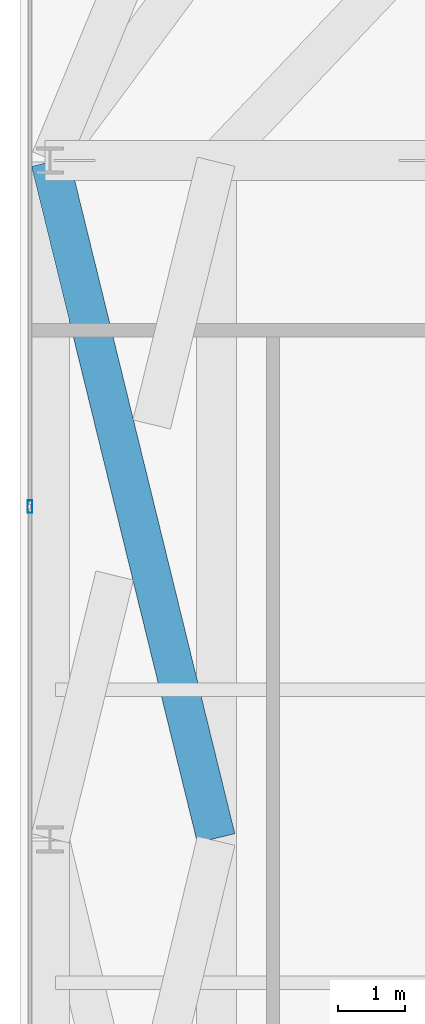
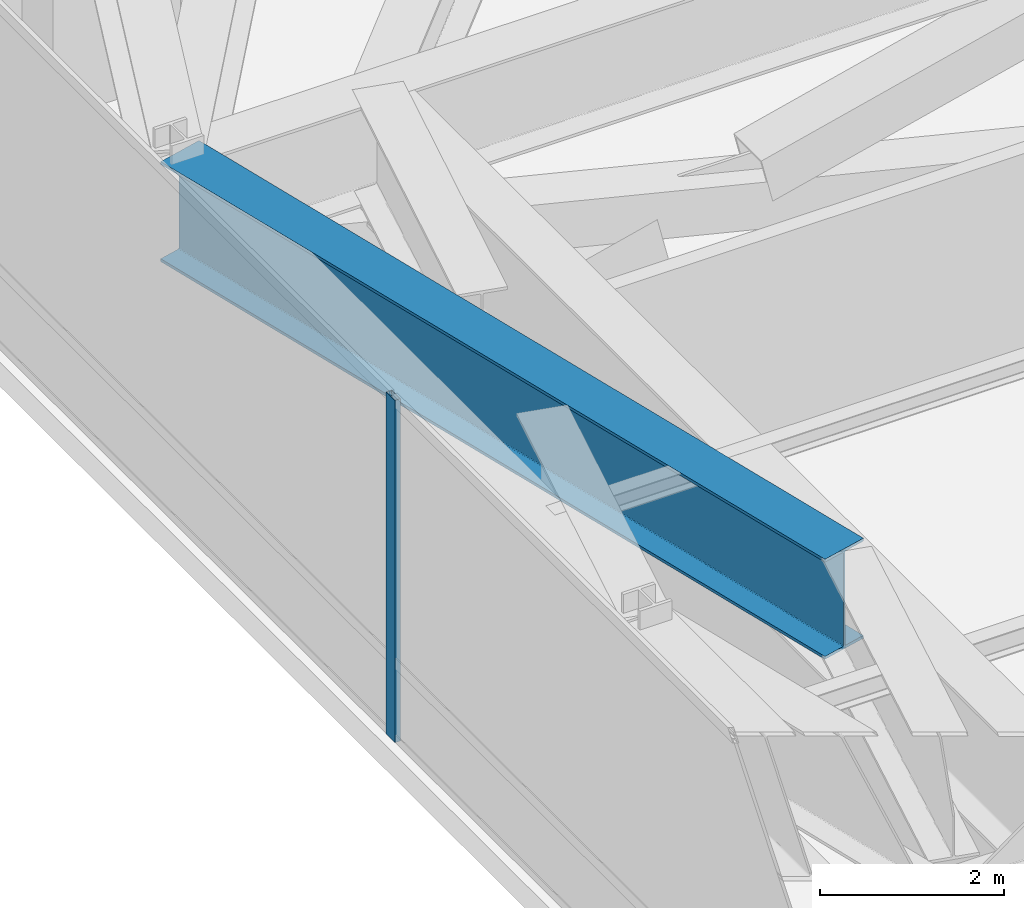
# One storey, part 10 of 30: 1 beam, 1 member, 1 element without a shape of its own.
"""IFC4 building model written with IfcOpenShell, lengths in metres."""

from ifc_helpers import new_model, si_unit, direction, frame, origin, origin_2d, place, context, subcontext, project, spatial, hollow_rectangle, i_section, extrude, source, transform, mapped, material, layer, layer_set, material_profile, profile_set, type_object, type_shapes, element, aggregate, save


model = new_model("IFC4")

# Units and contexts
model_context = context("Model", 3, precision=1e-05, world=origin(), true_north=direction((0.0, 1.0)))
body_context = subcontext(model_context, "Body", "Model", "MODEL_VIEW")
ifc_project = project(units=[si_unit("LENGTHUNIT", "METRE"), si_unit("AREAUNIT", "SQUARE_METRE"), si_unit("VOLUMEUNIT", "CUBIC_METRE"), si_unit("PLANEANGLEUNIT", "RADIAN"), si_unit("MASSUNIT", "GRAM", prefix="KILO")], contexts=[model_context])

# Site, building, storey
site_placement = place(None, origin())
site = spatial("IfcSite", under=ifc_project, at=site_placement, CompositionType="ELEMENT")
building_placement = place(site_placement, origin())
building = spatial("IfcBuilding", under=site, at=building_placement, Name="Varnel Quay Broadcast Tower", CompositionType="ELEMENT")
storey_placement = place(building_placement, frame((0.0, 0.0, 82.199951171875)))
storey = spatial("IfcBuildingStorey", under=building, at=storey_placement, Name="L19", CompositionType="ELEMENT", Elevation=82.199951171875)

# Beam
ifc_material_1 = material(Name="Structural Steel CSA G40.21 350WT", Category="steel")
ifc_material_profile_1 = material_profile(ifc_material_1, i_section(OverallWidth=0.580078125, OverallDepth=1.330078125, WebThickness=0.02197265625, FlangeThickness=0.0380859375, FilletRadius=0.02001953125, at=origin_2d()), Name="WWF1330X535")
ifc_profile_set_1 = profile_set([ifc_material_profile_1], Name="Structural Steel CSA G40.21 350WT")
beam_type = type_object("IfcBeamType", Name="Girder_WWF1330X535", PredefinedType="BEAM", material=ifc_profile_set_1)
shared_shape_1 = source(origin(), body_context, "Body", "SweptSolid", [
    extrude(i_section(OverallWidth=0.580078125, OverallDepth=1.330078125, WebThickness=0.02197265625, FlangeThickness=0.0380859375, FilletRadius=0.02001953125, at=origin_2d()), origin(), (0.0, 0.0, 1.0), 10.4619140625),
])
type_shapes(beam_type, [shared_shape_1])
beam_placement = place(storey_placement, frame((2.454833984375, 35.58056640625, 3.885009765625), z_axis=(0.238052489607, -0.971252290701, 0.0), x_axis=(0.971252290701, 0.238052489607, 0.0)))
element("IfcBeam", 1, at=beam_placement, inside=storey, type_object=beam_type, Name="L19 X-Braced Transfer Tie TC-W2-TC-W3", PredefinedType="BEAM", context=body_context, shape_type="MappedRepresentation", body=[
    mapped(shared_shape_1, transform((0.0, 0.0, 0.0), x_axis=(1.0, 0.0, 0.0), y_axis=(0.0, 1.0, 0.0), z_axis=(0.0, 0.0, 1.0), scale=1.0)),
])

# Curtain wall, member
ifc_material_2 = material(Name="Anodised Bronze Aluminium 6063-T6", Category="aluminium")
ifc_layer = layer(ifc_material_2, 0.18994140625, Name="Anodised Bronze Aluminium 6063-T6")
ifc_layer_set = layer_set([ifc_layer], Name="Anodised Bronze Aluminium 6063-T6")
curtain_wall_type = type_object("IfcCurtainWallType", Name="CW_LowerTower", PredefinedType="NOTDEFINED", material=ifc_layer_set)
curtain_wall_placement = place(storey_placement, origin())
curtain_wall = element("IfcCurtainWall", 2, at=curtain_wall_placement, inside=storey, type_object=curtain_wall_type, Name="L19 West Unitised Curtain Wall", PredefinedType="NOTDEFINED")
ifc_material_profile_2 = material_profile(ifc_material_2, hollow_rectangle(XDim=0.070068359375, YDim=0.18994140625, WallThickness=0.00390625, at=origin_2d()), Name="ALU70X190X4")
ifc_profile_set_2 = profile_set([ifc_material_profile_2], Name="Anodised Bronze Aluminium 6063-T6")
member_type = type_object("IfcMemberType", Name="Mull_CWS-02", PredefinedType="MULLION", material=ifc_profile_set_2)
shared_shape_2 = source(origin(), body_context, "Body", "SweptSolid", [
    extrude(hollow_rectangle(XDim=0.070068359375, YDim=0.18994140625, WallThickness=0.00390625, at=origin_2d()), origin(), (0.0, 0.0, 1.0), 4.550048828125),
])
type_shapes(member_type, [shared_shape_2])
member_placement = place(storey_placement, frame((2.14990234375, 30.39990234375, 0.0), z_axis=(0.0, 0.0, 1.0), x_axis=(-1.0, 0.0, 0.0)))
member = element("IfcMember", 3, at=member_placement, type_object=member_type, Name="CWS-02 mullion 3", PredefinedType="MULLION", context=body_context, shape_type="MappedRepresentation", body=[
    mapped(shared_shape_2, transform((0.0, 0.0, 0.0), x_axis=(1.0, 0.0, 0.0), y_axis=(0.0, 1.0, 0.0), z_axis=(0.0, 0.0, 1.0), scale=1.0)),
])
aggregate(curtain_wall, [member])

save(model, "model.ifc")
